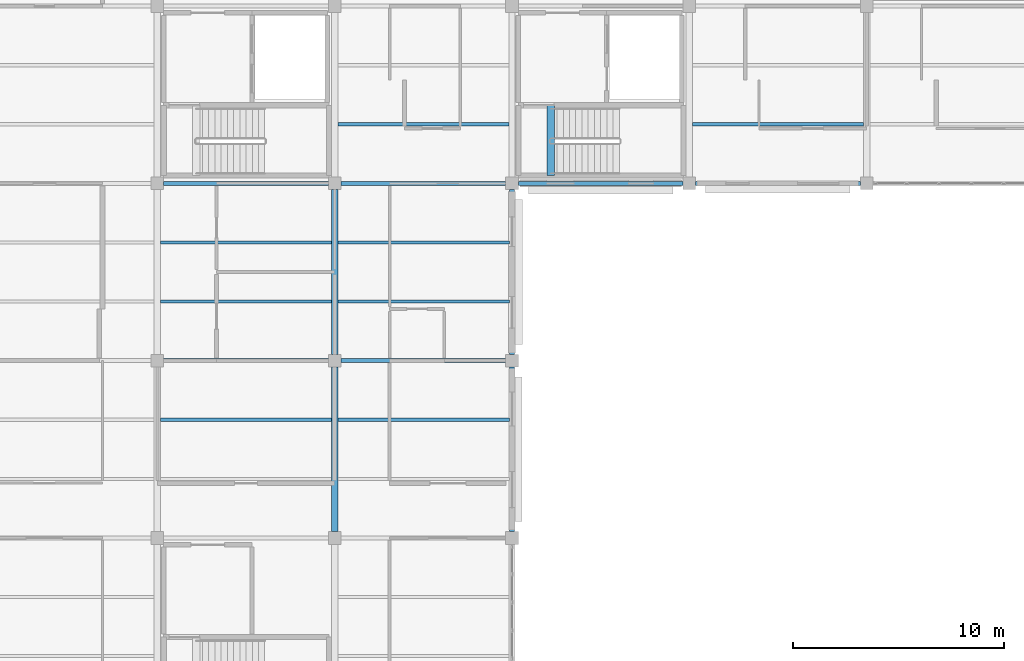
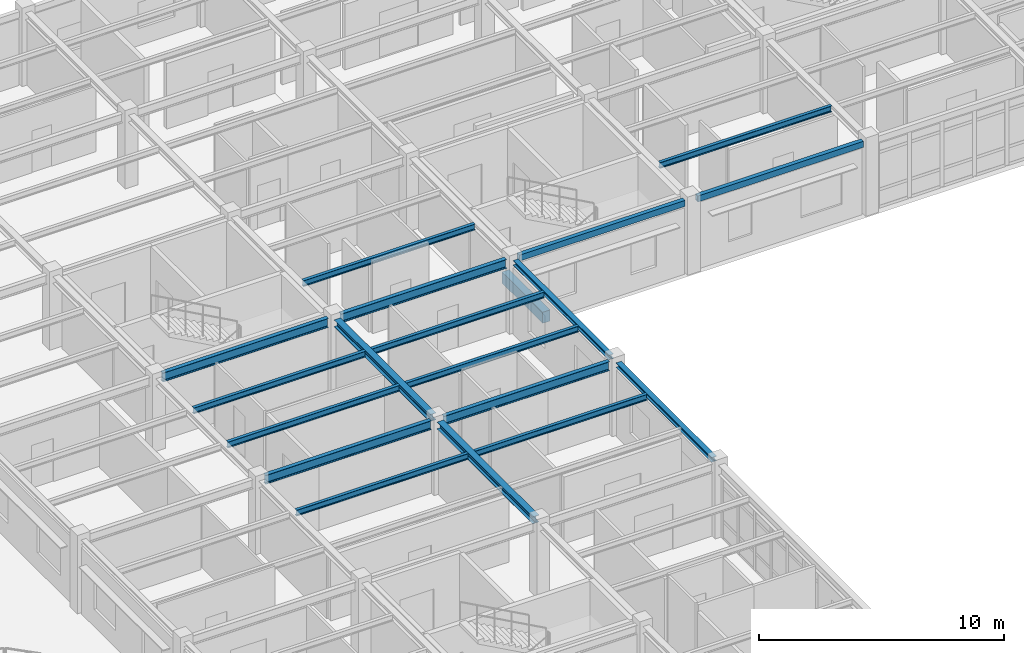
# One storey, part 24 of 86: 19 beams.
"""IFC4 building model written with IfcOpenShell, lengths in metres."""

from ifc_helpers import new_model, si_unit, direction, frame, origin, origin_2d, place, context, subcontext, project, spatial, rectangle, hollow_rectangle, i_section, extrude, material, material_profile, profile_set, type_object, element, save


model = new_model("IFC4")

# Units and contexts
model_context = context("Model", 3, precision=1e-05, world=origin(), true_north=direction((0.0, 1.0)))
body_context = subcontext(model_context, "Body", "Model", "MODEL_VIEW")
ifc_project = project(units=[si_unit("LENGTHUNIT", "METRE"), si_unit("AREAUNIT", "SQUARE_METRE"), si_unit("VOLUMEUNIT", "CUBIC_METRE"), si_unit("PLANEANGLEUNIT", "RADIAN"), si_unit("MASSUNIT", "GRAM", prefix="KILO")], contexts=[model_context])

# Site, building, storey
site_placement = place(None, origin())
site = spatial("IfcSite", under=ifc_project, at=site_placement, CompositionType="ELEMENT")
building_placement = place(site_placement, origin())
building = spatial("IfcBuilding", under=site, at=building_placement, Name="Bramfleet General Hospital", CompositionType="ELEMENT")
storey_placement = place(building_placement, frame((0.0, 0.0, 18.60009765625)))
storey = spatial("IfcBuildingStorey", under=building, at=storey_placement, Name="L04", CompositionType="ELEMENT", Elevation=18.60009765625)

# Beams
ifc_material_1 = material(Name="Steel S355", Category="steel")
ifc_material_profile_1 = material_profile(ifc_material_1, i_section(OverallWidth=0.239990234375, OverallDepth=0.22998046875, WebThickness=0.007568359375, FlangeThickness=0.011962890625, FilletRadius=0.02099609375, at=origin_2d()), Name="HEA 240")
ifc_profile_set_1 = profile_set([ifc_material_profile_1], Name="Steel S355")
beam_type_1 = type_object("IfcBeamType", Name="BM-HEA240", PredefinedType="SPANDREL", material=ifc_profile_set_1)
for number, where, z_axis, x_axis, name in (
    (1, (117.60009765625, 75.89990234375, 3.5048828125), (0.0, 1.0, 0.0), (-1.0, 0.0, 0.0), "L04 Grid Beam Y 14-09"),
    (2, (117.60009765625, 84.300048828125, 3.5048828125), (0.0, 1.0, 0.0), (-1.0, 0.0, 0.0), "L04 Grid Beam Y 14-10"),
):
    element("IfcBeam", number, at=place(storey_placement, frame(where, z_axis=z_axis, x_axis=x_axis)), inside=storey, type_object=beam_type_1, Name=name, PredefinedType="SPANDREL", context=body_context, shape_type="SweptSolid", body=[
        extrude(i_section(OverallWidth=0.239990234375, OverallDepth=0.22998046875, WebThickness=0.007568359375, FlangeThickness=0.011962890625, FilletRadius=0.02099609375, at=origin_2d()), origin(), (0.0, 0.0, 1.0), 7.800048828125),
    ])
ifc_material_profile_2 = material_profile(ifc_material_1, i_section(OverallWidth=0.300048828125, OverallDepth=0.35009765625, WebThickness=0.010009765625, FlangeThickness=0.017578125, FilletRadius=0.027099609375, at=origin_2d()), Name="HEA 360")
ifc_profile_set_2 = profile_set([ifc_material_profile_2], Name="Steel S355")
beam_type_2 = type_object("IfcBeamType", Name="BM-HEA360", PredefinedType="BEAM", material=ifc_profile_set_2)
for number, where, z_axis, x_axis, name in (
    (3, (109.199951171875, 75.89990234375, 3.44482421875), (0.0, 1.0, 0.0), (-1.0, 0.0, 0.0), "L04 Grid Beam Y 13-09"),
    (4, (109.199951171875, 84.300048828125, 3.44482421875), (0.0, 1.0, 0.0), (-1.0, 0.0, 0.0), "L04 Grid Beam Y 13-10"),
):
    element("IfcBeam", number, at=place(storey_placement, frame(where, z_axis=z_axis, x_axis=x_axis)), inside=storey, type_object=beam_type_2, Name=name, PredefinedType="BEAM", context=body_context, shape_type="SweptSolid", body=[
        extrude(i_section(OverallWidth=0.300048828125, OverallDepth=0.35009765625, WebThickness=0.010009765625, FlangeThickness=0.017578125, FilletRadius=0.027099609375, at=origin_2d()), origin(), (0.0, 0.0, 1.0), 7.800048828125),
    ])
ifc_material_profile_3 = material_profile(ifc_material_1, i_section(OverallWidth=0.14990234375, OverallDepth=0.300048828125, WebThickness=0.007080078125, FlangeThickness=0.0107421875, FilletRadius=0.014892578125, at=origin_2d()), Name="IPE 300")
ifc_profile_set_3 = profile_set([ifc_material_profile_3], Name="Steel S355")
beam_type_3 = type_object("IfcBeamType", Name="BM-IPE300", PredefinedType="JOIST", material=ifc_profile_set_3)
for number, where, z_axis, x_axis, name in (
    (5, (100.949951171875, 81.199951171875, 3.469970703125), (1.0, 0.0, 0.0), (0.0, 1.0, 0.0), "L04 Secondary Joist 12-09-2"),
    (6, (100.949951171875, 86.800048828125, 3.469970703125), (1.0, 0.0, 0.0), (0.0, 1.0, 0.0), "L04 Secondary Joist 12-10-1"),
    (7, (100.949951171875, 89.60009765625, 3.469970703125), (1.0, 0.0, 0.0), (0.0, 1.0, 0.0), "L04 Secondary Joist 12-10-2"),
):
    element("IfcBeam", number, at=place(storey_placement, frame(where, z_axis=z_axis, x_axis=x_axis)), inside=storey, type_object=beam_type_3, Name=name, PredefinedType="JOIST", context=body_context, shape_type="SweptSolid", body=[
        extrude(i_section(OverallWidth=0.14990234375, OverallDepth=0.300048828125, WebThickness=0.007080078125, FlangeThickness=0.0107421875, FilletRadius=0.014892578125, at=origin_2d()), origin(), (0.0, 0.0, 1.0), 8.10009765625),
    ])
for number, where, z_axis, x_axis, name in (
    (8, (109.35009765625, 81.199951171875, 3.469970703125), (1.0, 0.0, 0.0), (0.0, 1.0, 0.0), "L04 Secondary Joist 13-09-2"),
    (9, (109.35009765625, 86.800048828125, 3.469970703125), (1.0, 0.0, 0.0), (0.0, 1.0, 0.0), "L04 Secondary Joist 13-10-1"),
    (10, (109.35009765625, 89.60009765625, 3.469970703125), (1.0, 0.0, 0.0), (0.0, 1.0, 0.0), "L04 Secondary Joist 13-10-2"),
):
    element("IfcBeam", number, at=place(storey_placement, frame(where, z_axis=z_axis, x_axis=x_axis)), inside=storey, type_object=beam_type_3, Name=name, PredefinedType="JOIST", context=body_context, shape_type="SweptSolid", body=[
        extrude(i_section(OverallWidth=0.14990234375, OverallDepth=0.300048828125, WebThickness=0.007080078125, FlangeThickness=0.0107421875, FilletRadius=0.014892578125, at=origin_2d()), origin(), (0.0, 0.0, 1.0), 8.1298828125),
    ])
beam_1_placement = place(storey_placement, frame((109.35009765625, 95.199951171875, 3.469970703125), z_axis=(1.0, 0.0, 0.0), x_axis=(0.0, 1.0, 0.0)))
element("IfcBeam", 11, at=beam_1_placement, inside=storey, type_object=beam_type_3, Name="L04 Secondary Joist 13-11-1", PredefinedType="JOIST", context=body_context, shape_type="SweptSolid", body=[
    extrude(i_section(OverallWidth=0.14990234375, OverallDepth=0.300048828125, WebThickness=0.007080078125, FlangeThickness=0.0107421875, FilletRadius=0.014892578125, at=origin_2d()), origin(), (0.0, 0.0, 1.0), 8.099853515625),
])
beam_2_placement = place(storey_placement, frame((126.14990234375, 95.199951171875, 3.469970703125), z_axis=(1.0, 0.0, 0.0), x_axis=(0.0, 1.0, 0.0)))
element("IfcBeam", 12, at=beam_2_placement, inside=storey, type_object=beam_type_3, Name="L04 Secondary Joist 15-11-1", PredefinedType="JOIST", context=body_context, shape_type="SweptSolid", body=[
    extrude(i_section(OverallWidth=0.14990234375, OverallDepth=0.300048828125, WebThickness=0.007080078125, FlangeThickness=0.0107421875, FilletRadius=0.014892578125, at=origin_2d()), origin(), (0.0, 0.0, 1.0), 8.10009765625),
])
ifc_material_profile_4 = material_profile(ifc_material_1, i_section(OverallWidth=0.18994140625, OverallDepth=0.449951171875, WebThickness=0.009521484375, FlangeThickness=0.0146484375, FilletRadius=0.02099609375, at=origin_2d()), Name="IPE 450")
ifc_profile_set_4 = profile_set([ifc_material_profile_4], Name="Steel S355")
beam_type_4 = type_object("IfcBeamType", Name="BM-IPE450", PredefinedType="BEAM", material=ifc_profile_set_4)
for number, where, z_axis, x_axis, name in (
    (13, (101.10009765625, 84.0, 3.39501953125), (1.0, 0.0, 0.0), (0.0, 1.0, 0.0), "L04 Grid Beam X 12-10"),
    (14, (101.10009765625, 92.39990234375, 3.39501953125), (1.0, 0.0, 0.0), (0.0, 1.0, 0.0), "L04 Grid Beam X 12-11"),
):
    element("IfcBeam", number, at=place(storey_placement, frame(where, z_axis=z_axis, x_axis=x_axis)), inside=storey, type_object=beam_type_4, Name=name, PredefinedType="BEAM", context=body_context, shape_type="SweptSolid", body=[
        extrude(i_section(OverallWidth=0.18994140625, OverallDepth=0.449951171875, WebThickness=0.009521484375, FlangeThickness=0.0146484375, FilletRadius=0.02099609375, at=origin_2d()), origin(), (0.0, 0.0, 1.0), 7.7998046875),
    ])
for number, where, z_axis, x_axis, name in (
    (15, (109.5, 84.0, 3.39501953125), (1.0, 0.0, 0.0), (0.0, 1.0, 0.0), "L04 Grid Beam X 13-10"),
    (16, (109.5, 92.39990234375, 3.39501953125), (1.0, 0.0, 0.0), (0.0, 1.0, 0.0), "L04 Grid Beam X 13-11"),
):
    element("IfcBeam", number, at=place(storey_placement, frame(where, z_axis=z_axis, x_axis=x_axis)), inside=storey, type_object=beam_type_4, Name=name, PredefinedType="BEAM", context=body_context, shape_type="SweptSolid", body=[
        extrude(i_section(OverallWidth=0.18994140625, OverallDepth=0.449951171875, WebThickness=0.009521484375, FlangeThickness=0.0146484375, FilletRadius=0.02099609375, at=origin_2d()), origin(), (0.0, 0.0, 1.0), 7.800048828125),
    ])
ifc_material_2 = material(Name="Concrete C35/45", Category="concrete")
ifc_material_profile_5 = material_profile(ifc_material_2, rectangle(XDim=0.35009765625, YDim=0.550048828125, at=origin_2d()), Name="RC BM 550x350")
ifc_profile_set_5 = profile_set([ifc_material_profile_5], Name="Concrete C35/45")
beam_type_5 = type_object("IfcBeamType", Name="BM-RC550", PredefinedType="BEAM", material=ifc_profile_set_5)
beam_3_placement = place(storey_placement, frame((119.43994140625, 92.780029296875, -0.275146484375), z_axis=(0.0, 1.0, 0.0), x_axis=(-1.0, 0.0, 0.0)))
element("IfcBeam", 17, at=beam_3_placement, inside=storey, type_object=beam_type_5, Name="L04 C6 Stairwell Trimmer Beam", PredefinedType="BEAM", context=body_context, shape_type="SweptSolid", body=[
    extrude(rectangle(XDim=0.35009765625, YDim=0.550048828125, at=origin_2d()), origin(), (0.0, 0.0, 1.0), 3.320068359375),
])
ifc_material_profile_6 = material_profile(ifc_material_1, hollow_rectangle(XDim=0.199951171875, YDim=0.300048828125, WallThickness=0.012451171875, at=origin_2d()), Name="RHS 300x200x12.5")
ifc_profile_set_6 = profile_set([ifc_material_profile_6], Name="Steel S355")
beam_type_6 = type_object("IfcBeamType", Name="BM-RHS300", PredefinedType="SPANDREL", material=ifc_profile_set_6)
for number, where, z_axis, x_axis, name in (
    (18, (117.89990234375, 92.39990234375, 3.469970703125), (1.0, 0.0, 0.0), (0.0, 1.0, 0.0), "L04 Grid Beam X 14-11"),
    (19, (126.300048828125, 92.39990234375, 3.469970703125), (1.0, 0.0, 0.0), (0.0, 1.0, 0.0), "L04 Grid Beam X 15-11"),
):
    element("IfcBeam", number, at=place(storey_placement, frame(where, z_axis=z_axis, x_axis=x_axis)), inside=storey, type_object=beam_type_6, Name=name, PredefinedType="SPANDREL", context=body_context, shape_type="SweptSolid", body=[
        extrude(hollow_rectangle(XDim=0.199951171875, YDim=0.300048828125, WallThickness=0.012451171875, at=origin_2d()), origin(), (0.0, 0.0, 1.0), 7.800048828125),
    ])

save(model, "model.ifc")
